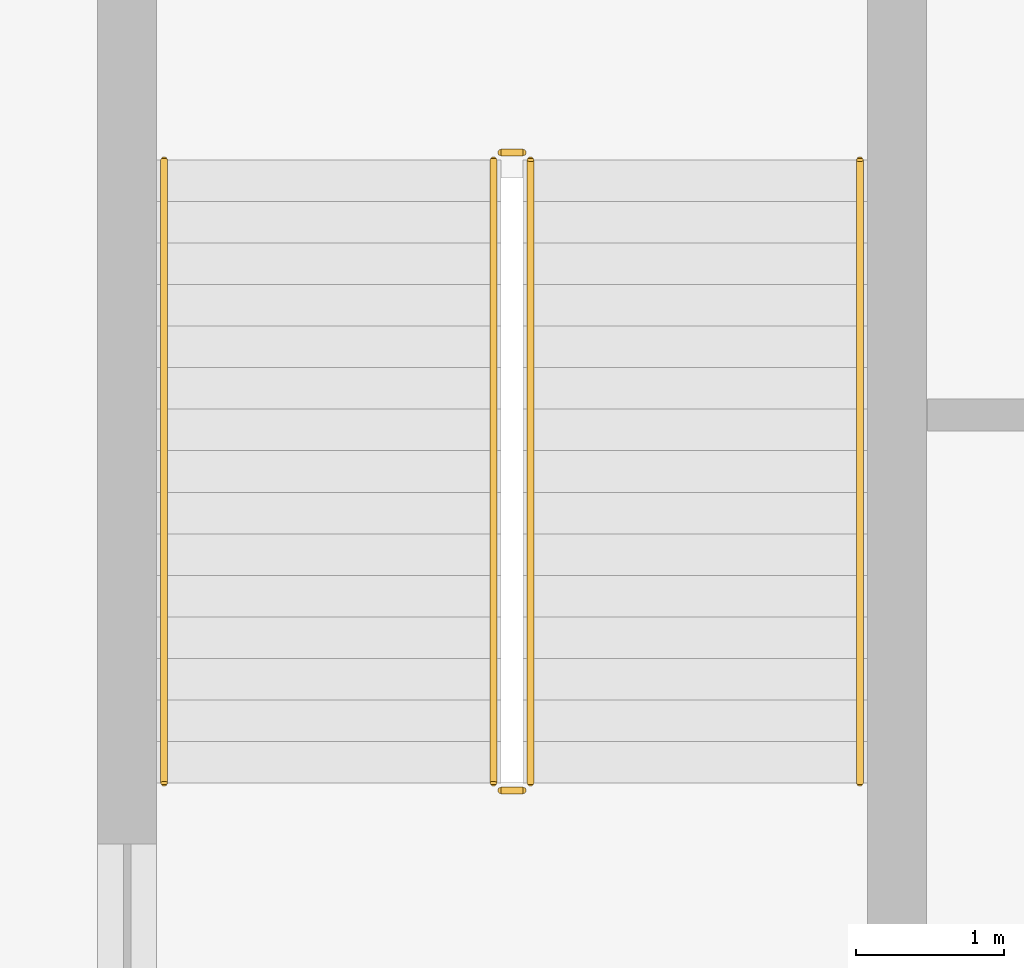
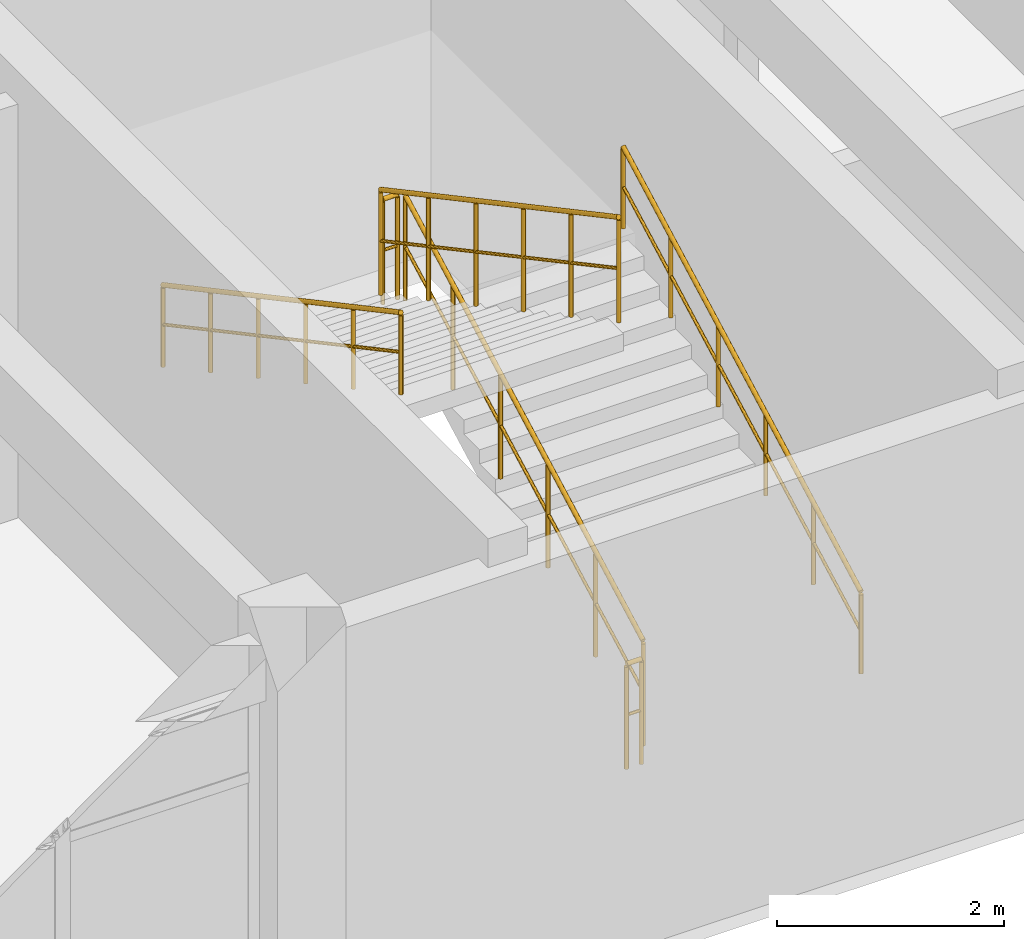
# One storey, part 71 of 76: 6 railings.
"""IFC4 building model written with IfcOpenShell, lengths in metres."""

import ifcopenshell
import ifcopenshell.guid

model = None  # the IFC model being written
_history = None  # IfcOwnerHistory: only IFC2X3 demands one
_inside = {}  # id of a spatial element -> (the spatial element, [elements in it])
_under = {}  # id of a project, library or spatial element -> (it, [spatial elements below it])
_declared = {}  # id of a project -> (the project, [libraries it declares])
_typed = {}  # id of a type object -> (the type object, [elements of that type])
_made_of = {}  # id of a material, layer set ... -> (it, [elements and type objects made of it])


def new_model(schema):
    """Start an empty IFC model of exactly this schema.

    Asked for "IFC4X3", IfcOpenShell would pick the latest addendum, in which some entities
    have other attributes; the version numbers below select the first issue.
    IFC2X3 requires an IfcOwnerHistory on every rooted entity: one is made here for all.
    """
    global model, _history
    if schema == "IFC4X3":
        model = ifcopenshell.file(schema_version=(4, 3, 0, 0))
    else:
        model = ifcopenshell.file(schema=schema)
    _inside.clear()
    _under.clear()
    _declared.clear()
    _typed.clear()
    _made_of.clear()
    _history = None
    if model.schema == "IFC2X3":
        org = make("IfcOrganization", Name="unknown")
        user = make(
            "IfcPersonAndOrganization",
            ThePerson=make("IfcPerson", FamilyName="unknown"),
            TheOrganization=org,
        )
        app = make(
            "IfcApplication",
            ApplicationDeveloper=org,
            Version="unknown",
            ApplicationFullName="unknown",
            ApplicationIdentifier="unknown",
        )
        _history = make(
            "IfcOwnerHistory",
            OwningUser=user,
            OwningApplication=app,
            ChangeAction="ADDED",
            CreationDate=0,
        )
    return model


def make(cls, **values):
    """One entity of the class cls with the attributes given. An attribute that is None is left unset."""
    return model.create_entity(
        cls, **{name: value for name, value in values.items() if value is not None}
    )


def rooted(cls, **values):
    """An entity with a GlobalId (a new one), such as an element, a storey or a relation."""
    return make(cls, GlobalId=ifcopenshell.guid.new(), OwnerHistory=_history, **values)


def si_unit(unit_type, name, prefix=None):
    """IfcSIUnit, for example si_unit("LENGTHUNIT", "METRE", prefix="MILLI")."""
    return make("IfcSIUnit", UnitType=unit_type, Prefix=prefix, Name=name)


def derived_unit(unit_type, elements):
    """IfcDerivedUnit: a product of units, each with its exponent."""
    return make(
        "IfcDerivedUnit",
        Elements=[
            make("IfcDerivedUnitElement", Unit=unit, Exponent=power)
            for unit, power in elements
        ],
        UnitType=unit_type,
    )


def assignment(units):
    """IfcUnitAssignment: the units of a project."""
    return None if units is None else make("IfcUnitAssignment", Units=units)


def point(xyz):
    """IfcCartesianPoint."""
    return None if xyz is None else make("IfcCartesianPoint", Coordinates=xyz)


def direction(xyz):
    """IfcDirection."""
    return None if xyz is None else make("IfcDirection", DirectionRatios=xyz)


def frame(location, z_axis=None, x_axis=None):
    """IfcAxis2Placement3D, a coordinate frame: its origin and axes. An axis left out is left unset."""
    return make(
        "IfcAxis2Placement3D",
        Location=point(location),
        Axis=direction(z_axis),
        RefDirection=direction(x_axis),
    )


def frame_2d(location, x_axis=None):
    """IfcAxis2Placement2D, a coordinate frame in the plane: its origin and x axis."""
    return make(
        "IfcAxis2Placement2D", Location=point(location), RefDirection=direction(x_axis)
    )


def origin():
    """The frame at (0, 0, 0) with its axes left unset."""
    return frame((0.0, 0.0, 0.0))


def origin_2d():
    """The frame at (0, 0) in the plane with its x axis left unset."""
    return frame_2d((0.0, 0.0))


def place(relative_to, where):
    """IfcLocalPlacement: puts the frame where relative to a parent placement (None: the world)."""
    return make(
        "IfcLocalPlacement", PlacementRelTo=relative_to, RelativePlacement=where
    )


def context(
    kind, dimensions, precision=None, world=None, true_north=None, identifier=None
):
    """IfcGeometricRepresentationContext, for example the 3D "Model" context."""
    return make(
        "IfcGeometricRepresentationContext",
        ContextIdentifier=identifier,
        ContextType=kind,
        CoordinateSpaceDimension=dimensions,
        Precision=precision,
        WorldCoordinateSystem=world,
        TrueNorth=true_north,
    )


def subcontext(parent, identifier, kind, view, scale=None):
    """IfcGeometricRepresentationSubContext, for example "Body" below "Model"."""
    return make(
        "IfcGeometricRepresentationSubContext",
        ContextIdentifier=identifier,
        ContextType=kind,
        ParentContext=parent,
        TargetScale=scale,
        TargetView=view,
    )


def project(units=None, contexts=None):
    """IfcProject with its units and contexts."""
    return rooted(
        "IfcProject",
        Name="project",
        RepresentationContexts=contexts,
        UnitsInContext=assignment(units),
    )


def spatial(cls, under=None, at=None, **own):
    """A site, building, storey or space (cls), placed at a placement, below another one or the project."""
    s = rooted(cls, ObjectPlacement=at, **own)
    if under is not None:
        _under.setdefault(under.id(), (under, []))[1].append(s)
    return s


def profile(cls, at=None, kind="AREA", **sizes):
    """A parametric profile (cls). Its sizes go by their IFC names, for example OverallWidth=200.0."""
    return make(cls, ProfileType=kind, Position=at, **sizes)


def circle(**sizes):
    """IfcCircleProfileDef."""
    return profile("IfcCircleProfileDef", **sizes)


def extrude(swept, where, along, depth):
    """IfcExtrudedAreaSolid: the profile swept, set in the frame where, extruded along a direction by depth."""
    return make(
        "IfcExtrudedAreaSolid",
        SweptArea=swept,
        Position=where,
        ExtrudedDirection=direction(along),
        Depth=depth,
    )


def shape(context_of_items, identifier, shape_type, items):
    """IfcShapeRepresentation: the items that make up one representation, for example the "Body"."""
    return make(
        "IfcShapeRepresentation",
        ContextOfItems=context_of_items,
        RepresentationIdentifier=identifier,
        RepresentationType=shape_type,
        Items=items,
    )


def material(Name=None, Category=None):
    """IfcMaterial."""
    return make("IfcMaterial", Name=Name, Category=Category)


def made_of(thing, what):
    """Note that an element or type object is made of a material, layer set ...; save() writes the relation."""
    if what is not None:
        _made_of.setdefault(what.id(), (what, []))[1].append(thing)
    return thing


def type_object(cls, material=None, **own):
    """A type object (cls), such as IfcWallType, which elements share."""
    return made_of(rooted(cls, **own), material)


def element(
    cls,
    number,
    at=None,
    inside=None,
    cuts=None,
    type_object=None,
    material=None,
    context=None,
    identifier="Body",
    shape_type=None,
    held_by="IfcProductDefinitionShape",
    body=None,
    shapes=None,
    **own,
):
    """One element of the class cls, such as IfcWall. Its Tag is "e" and its number.

    at: its placement. inside: the storey or other place that contains it. cuts: it is an
    opening in that element (IfcRelVoidsElement). A single representation is given by context,
    identifier, shape_type and body (its items); several are given by shapes. held_by: the class
    of the entity that holds the representations. save() writes the other relations.
    """
    e = rooted(cls, Tag="e%d" % number, ObjectPlacement=at, **own)
    if body is not None:
        shapes = [shape(context, identifier, shape_type, body)]
    if shapes is not None:
        e.Representation = make(held_by, Representations=shapes)
    if inside is not None:
        _inside.setdefault(inside.id(), (inside, []))[1].append(e)
    if cuts is not None:
        rooted(
            "IfcRelVoidsElement", RelatingBuildingElement=cuts, RelatedOpeningElement=e
        )
    if type_object is not None:
        _typed.setdefault(type_object.id(), (type_object, []))[1].append(e)
    return made_of(e, material)


def aggregate(whole, parts):
    """IfcRelAggregates: a whole, such as a stair, and the parts it consists of."""
    return rooted("IfcRelAggregates", RelatingObject=whole, RelatedObjects=parts)


def save(model, path):
    """Write the relations noted so far, then the file.

    IfcRelAggregates (storeys below a building ...), IfcRelContainedInSpatialStructure (elements
    in a storey), IfcRelDefinesByType, IfcRelAssociatesMaterial and IfcRelDeclares: one each for
    every whole, place, type object, material and project.
    """
    for whole, parts in _under.values():
        aggregate(whole, parts)
    for where, things in _inside.values():
        rooted(
            "IfcRelContainedInSpatialStructure",
            RelatedElements=things,
            RelatingStructure=where,
        )
    for kind, things in _typed.values():
        rooted("IfcRelDefinesByType", RelatedObjects=things, RelatingType=kind)
    for what, things in _made_of.values():
        rooted("IfcRelAssociatesMaterial", RelatedObjects=things, RelatingMaterial=what)
    for by, libraries in _declared.values():
        rooted("IfcRelDeclares", RelatingContext=by, RelatedDefinitions=libraries)
    model.write(path)


model = new_model("IFC4")

# Units and contexts
model_context = context("Model", 3, precision=1e-05, world=origin(), true_north=direction((0.0, 1.0)))
body_context = subcontext(model_context, "Body", "Model", "MODEL_VIEW")
ifc_project = project(units=[si_unit("LENGTHUNIT", "METRE"), si_unit("AREAUNIT", "SQUARE_METRE"), si_unit("VOLUMEUNIT", "CUBIC_METRE"), si_unit("PLANEANGLEUNIT", "RADIAN"), si_unit("MASSUNIT", "GRAM", prefix="KILO"), derived_unit("THERMALTRANSMITTANCEUNIT", [(si_unit("MASSUNIT", "GRAM", prefix="KILO"), 1), (si_unit("TIMEUNIT", "SECOND"), -3), (si_unit("THERMODYNAMICTEMPERATUREUNIT", "KELVIN"), -1)])], contexts=[model_context])

# Site, building, storey
site_placement = place(None, origin())
site = spatial("IfcSite", under=ifc_project, at=site_placement, CompositionType="ELEMENT")
building_placement = place(site_placement, origin())
building = spatial("IfcBuilding", under=site, at=building_placement, Name="Qinzheling Arcade Emporium", CompositionType="ELEMENT")
storey_placement = place(building_placement, frame((0.0, 0.0, 26.699951171875)))
storey = spatial("IfcBuildingStorey", under=building, at=storey_placement, Name="L06", CompositionType="ELEMENT", Elevation=26.699951171875)

# Railings
ifc_material_1 = material(Name="Galvanised powder-coated tubular steel", Category="steel")
railing_type_1 = type_object("IfcRailingType", Name="Painted Steel Stairwell Guard Railing 1150", PredefinedType="GUARDRAIL", material=ifc_material_1)
railing_1_placement = place(storey_placement, frame((91.919921875, 44.320068359375, 0.150146484375)))
element("IfcRailing", 1, at=railing_1_placement, inside=storey, type_object=railing_type_1, Name="L06 ST04 stair guard 1", PredefinedType="GUARDRAIL", context=body_context, shape_type="SweptSolid", body=[
    extrude(circle(Radius=0.02392578125, at=origin_2d()), frame((0.0, 0.0, 1.1259765625), z_axis=(0.0, 0.881477684796, 0.472225678258), x_axis=(-1.0, 0.0, 0.0)), (0.0, 0.0, 1.0), 4.7646484375),
    extrude(circle(Radius=0.01611328125, at=origin_2d()), frame((0.0, 0.0, 0.574951171875), z_axis=(0.0, 0.881477684796, 0.472225678258), x_axis=(-1.0, 0.0, 0.0)), (0.0, 0.0, 1.0), 4.7646484375),
    extrude(circle(Radius=0.02099609375, at=origin_2d()), origin(), (0.0, 0.0, 1.0), 1.101806640625),
    extrude(circle(Radius=0.02099609375, at=origin_2d()), frame((0.0, 0.840087890625, 0.449951171875)), (0.0, 0.0, 1.0), 1.101806640625),
    extrude(circle(Radius=0.02099609375, at=origin_2d()), frame((0.0, 1.679931640625, 0.89990234375)), (0.0, 0.0, 1.0), 1.101806640625),
    extrude(circle(Radius=0.02099609375, at=origin_2d()), frame((0.0, 2.52001953125, 1.35009765625)), (0.0, 0.0, 1.0), 1.101806640625),
    extrude(circle(Radius=0.02099609375, at=origin_2d()), frame((0.0, 3.35986328125, 1.800048828125)), (0.0, 0.0, 1.0), 1.101806640625),
    extrude(circle(Radius=0.02099609375, at=origin_2d()), frame((0.0, 4.199951171875, 2.25)), (0.0, 0.0, 1.0), 1.101806640625),
])
railing_2_placement = place(storey_placement, frame((91.8701171875, 48.570068359375, 2.400146484375)))
element("IfcRailing", 2, at=railing_2_placement, inside=storey, type_object=railing_type_1, Name="L06 ST04 stair guard 2", PredefinedType="GUARDRAIL", context=body_context, shape_type="SweptSolid", body=[
    extrude(circle(Radius=0.02392578125, at=origin_2d()), frame((0.0, 0.0, 1.1259765625), z_axis=(-1.0, 0.0, 0.0), x_axis=(0.0, -1.0, 0.0)), (0.0, 0.0, 1.0), 0.150146484375),
    extrude(circle(Radius=0.01611328125, at=origin_2d()), frame((0.0, 0.0, 0.574951171875), z_axis=(-1.0, 0.0, 0.0), x_axis=(0.0, -1.0, 0.0)), (0.0, 0.0, 1.0), 0.150146484375),
    extrude(circle(Radius=0.02099609375, at=origin_2d()), origin(), (0.0, 0.0, 1.0), 1.101806640625),
    extrude(circle(Radius=0.02099609375, at=origin_2d()), frame((-0.150146484375, 0.0, 0.0)), (0.0, 0.0, 1.0), 1.101806640625),
])
railing_3_placement = place(storey_placement, frame((91.669921875, 48.52001953125, 2.550048828125)))
element("IfcRailing", 3, at=railing_3_placement, inside=storey, type_object=railing_type_1, Name="L06 ST04 stair guard 3", PredefinedType="GUARDRAIL", context=body_context, shape_type="SweptSolid", body=[
    extrude(circle(Radius=0.02392578125, at=origin_2d()), frame((0.0, 0.0, 1.1259765625), z_axis=(0.0, -0.881477684796, 0.472225678258), x_axis=(1.0, 0.0, 0.0)), (0.0, 0.0, 1.0), 4.7646484375),
    extrude(circle(Radius=0.01611328125, at=origin_2d()), frame((0.0, 0.0, 0.574951171875), z_axis=(0.0, -0.881477684796, 0.472225678258), x_axis=(1.0, 0.0, 0.0)), (0.0, 0.0, 1.0), 4.7646484375),
    extrude(circle(Radius=0.02099609375, at=origin_2d()), origin(), (0.0, 0.0, 1.0), 1.101806640625),
    extrude(circle(Radius=0.02099609375, at=origin_2d()), frame((0.0, -0.840087890625, 0.449951171875)), (0.0, 0.0, 1.0), 1.101806640625),
    extrude(circle(Radius=0.02099609375, at=origin_2d()), frame((0.0, -1.679931640625, 0.89990234375)), (0.0, 0.0, 1.0), 1.101806640625),
    extrude(circle(Radius=0.02099609375, at=origin_2d()), frame((0.0, -2.52001953125, 1.35009765625)), (0.0, 0.0, 1.0), 1.101806640625),
    extrude(circle(Radius=0.02099609375, at=origin_2d()), frame((0.0, -3.35986328125, 1.800048828125)), (0.0, 0.0, 1.0), 1.101806640625),
    extrude(circle(Radius=0.02099609375, at=origin_2d()), frame((0.0, -4.199951171875, 2.25)), (0.0, 0.0, 1.0), 1.101806640625),
])
railing_4_placement = place(storey_placement, frame((91.8701171875, 44.27001953125, 0.0)))
element("IfcRailing", 4, at=railing_4_placement, inside=storey, type_object=railing_type_1, Name="L06 ST04 stair guard 4", PredefinedType="GUARDRAIL", context=body_context, shape_type="SweptSolid", body=[
    extrude(circle(Radius=0.02392578125, at=origin_2d()), frame((0.0, 0.0, 1.1259765625), z_axis=(-1.0, 0.0, 0.0), x_axis=(0.0, -1.0, 0.0)), (0.0, 0.0, 1.0), 0.150146484375),
    extrude(circle(Radius=0.01611328125, at=origin_2d()), frame((0.0, 0.0, 0.574951171875), z_axis=(-1.0, 0.0, 0.0), x_axis=(0.0, -1.0, 0.0)), (0.0, 0.0, 1.0), 0.150146484375),
    extrude(circle(Radius=0.02099609375, at=origin_2d()), origin(), (0.0, 0.0, 1.0), 1.101806640625),
    extrude(circle(Radius=0.02099609375, at=origin_2d()), frame((-0.150146484375, 0.0, 0.0)), (0.0, 0.0, 1.0), 1.101806640625),
])
ifc_material_2 = material(Name="Brushed stainless steel 304", Category="steel")
railing_type_2 = type_object("IfcRailingType", Name="Stainless Steel Wall Handrail 900", PredefinedType="HANDRAIL", material=ifc_material_2)
railing_5_placement = place(storey_placement, frame((94.139892578125, 44.320068359375, 0.150146484375)))
element("IfcRailing", 5, at=railing_5_placement, inside=storey, type_object=railing_type_2, Name="L06 ST04 stair handrail 1", PredefinedType="HANDRAIL", context=body_context, shape_type="SweptSolid", body=[
    extrude(circle(Radius=0.02392578125, at=origin_2d()), frame((0.0, 0.0, 0.8759765625), z_axis=(0.0, 0.881477684796, 0.472225678258), x_axis=(-1.0, 0.0, 0.0)), (0.0, 0.0, 1.0), 4.7646484375),
    extrude(circle(Radius=0.01611328125, at=origin_2d()), frame((0.0, 0.0, 0.449951171875), z_axis=(0.0, 0.881477684796, 0.472225678258), x_axis=(-1.0, 0.0, 0.0)), (0.0, 0.0, 1.0), 4.7646484375),
    extrude(circle(Radius=0.02099609375, at=origin_2d()), origin(), (0.0, 0.0, 1.0), 0.851806640625),
    extrude(circle(Radius=0.02099609375, at=origin_2d()), frame((0.0, 0.840087890625, 0.449951171875)), (0.0, 0.0, 1.0), 0.851806640625),
    extrude(circle(Radius=0.02099609375, at=origin_2d()), frame((0.0, 1.679931640625, 0.89990234375)), (0.0, 0.0, 1.0), 0.851806640625),
    extrude(circle(Radius=0.02099609375, at=origin_2d()), frame((0.0, 2.52001953125, 1.35009765625)), (0.0, 0.0, 1.0), 0.851806640625),
    extrude(circle(Radius=0.02099609375, at=origin_2d()), frame((0.0, 3.35986328125, 1.800048828125)), (0.0, 0.0, 1.0), 0.851806640625),
    extrude(circle(Radius=0.02099609375, at=origin_2d()), frame((0.0, 4.199951171875, 2.25)), (0.0, 0.0, 1.0), 0.851806640625),
])
railing_6_placement = place(storey_placement, frame((89.449951171875, 48.52001953125, 2.550048828125)))
element("IfcRailing", 6, at=railing_6_placement, inside=storey, type_object=railing_type_2, Name="L06 ST04 stair handrail 2", PredefinedType="HANDRAIL", context=body_context, shape_type="SweptSolid", body=[
    extrude(circle(Radius=0.02392578125, at=origin_2d()), frame((0.0, 0.0, 0.8759765625), z_axis=(0.0, -0.881477684796, 0.472225678258), x_axis=(1.0, 0.0, 0.0)), (0.0, 0.0, 1.0), 4.7646484375),
    extrude(circle(Radius=0.01611328125, at=origin_2d()), frame((0.0, 0.0, 0.449951171875), z_axis=(0.0, -0.881477684796, 0.472225678258), x_axis=(1.0, 0.0, 0.0)), (0.0, 0.0, 1.0), 4.7646484375),
    extrude(circle(Radius=0.02099609375, at=origin_2d()), origin(), (0.0, 0.0, 1.0), 0.851806640625),
    extrude(circle(Radius=0.02099609375, at=origin_2d()), frame((0.0, -0.840087890625, 0.449951171875)), (0.0, 0.0, 1.0), 0.851806640625),
    extrude(circle(Radius=0.02099609375, at=origin_2d()), frame((0.0, -1.679931640625, 0.89990234375)), (0.0, 0.0, 1.0), 0.851806640625),
    extrude(circle(Radius=0.02099609375, at=origin_2d()), frame((0.0, -2.52001953125, 1.35009765625)), (0.0, 0.0, 1.0), 0.851806640625),
    extrude(circle(Radius=0.02099609375, at=origin_2d()), frame((0.0, -3.35986328125, 1.800048828125)), (0.0, 0.0, 1.0), 0.851806640625),
    extrude(circle(Radius=0.02099609375, at=origin_2d()), frame((0.0, -4.199951171875, 2.25)), (0.0, 0.0, 1.0), 0.851806640625),
])

save(model, "model.ifc")
